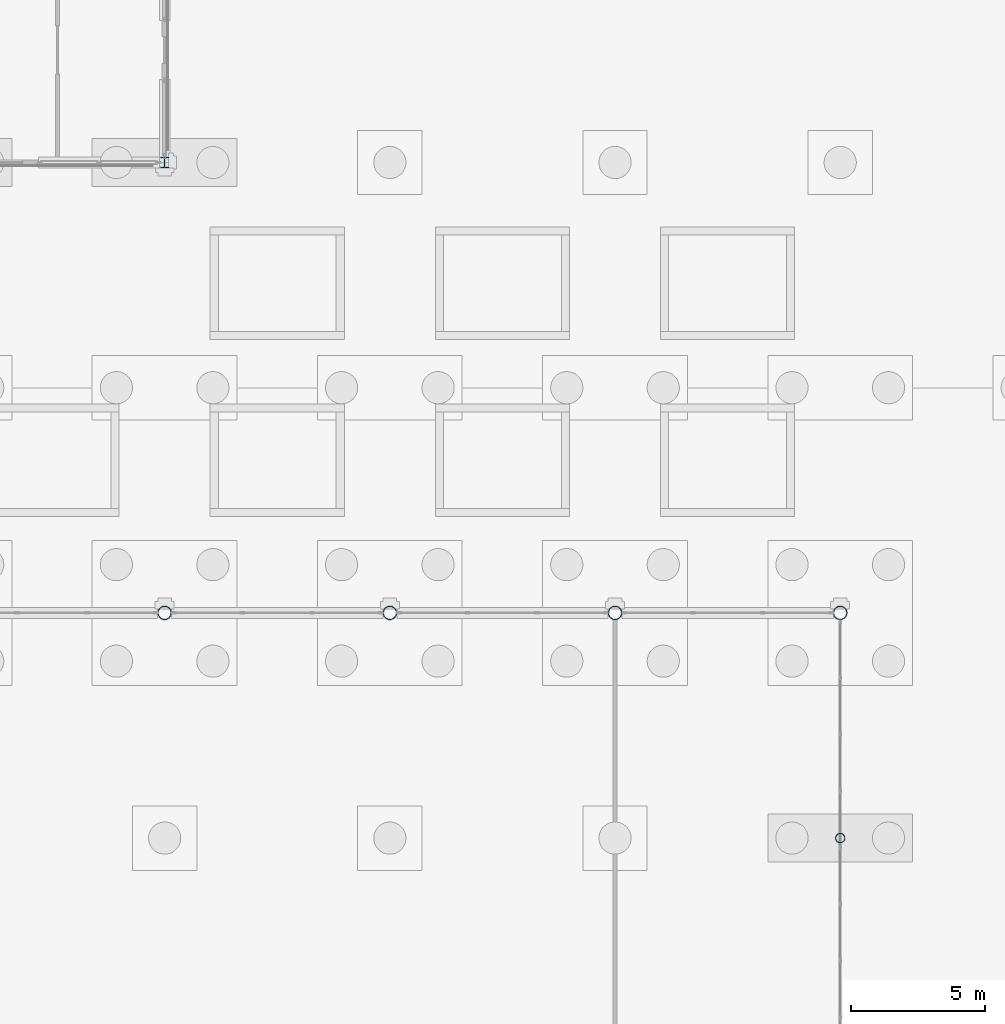
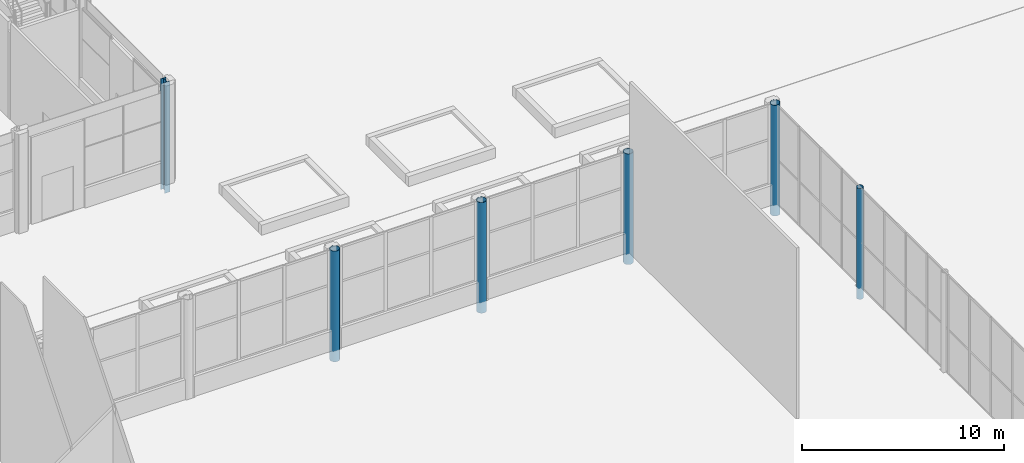
# One storey, part 30 of 212: 6 columns.
"""IFC4 building model written with IfcOpenShell, lengths in metres."""

from ifc_helpers import new_model, si_unit, direction, frame, origin, origin_2d, place, context, subcontext, project, spatial, hollow_circle, i_section, extrude, material, material_profile, profile_set, type_object, element, save


model = new_model("IFC4")

# Units and contexts
model_context = context("Model", 3, precision=1e-05, world=origin(), true_north=direction((0.0, 1.0)))
body_context = subcontext(model_context, "Body", "Model", "MODEL_VIEW")
ifc_project = project(units=[si_unit("LENGTHUNIT", "METRE"), si_unit("AREAUNIT", "SQUARE_METRE"), si_unit("VOLUMEUNIT", "CUBIC_METRE"), si_unit("PLANEANGLEUNIT", "RADIAN"), si_unit("MASSUNIT", "GRAM", prefix="KILO")], contexts=[model_context])

# Site, building, storey
site_placement = place(None, origin())
site = spatial("IfcSite", under=ifc_project, at=site_placement, CompositionType="ELEMENT")
building_placement = place(site_placement, origin())
building = spatial("IfcBuilding", under=site, at=building_placement, Name="Catenary Quay Ferry Terminal", CompositionType="ELEMENT")
storey_placement = place(building_placement, origin())
storey = spatial("IfcBuildingStorey", under=building, at=storey_placement, Name="L00", CompositionType="ELEMENT", Elevation=0.0)

# Columns
ifc_material_1 = material(Name="Steel S355", Category="steel")
ifc_material_profile_1 = material_profile(ifc_material_1, i_section(OverallWidth=0.300048828125, OverallDepth=0.39990234375, WebThickness=0.013427734375, FlangeThickness=0.02392578125, at=origin_2d()), Name="HEB 400")
ifc_profile_set_1 = profile_set([ifc_material_profile_1], Name="Steel S355")
column_type_1 = type_object("IfcColumnType", Name="C2 HEB 400", PredefinedType="COLUMN", material=ifc_profile_set_1)
column_1_placement = place(storey_placement, frame((67.199951171875, 159.60009765625, -0.699951171875), z_axis=(0.0, 0.0, 1.0), x_axis=(1.0, 0.0, 0.0)))
element("IfcColumn", 1, at=column_1_placement, inside=storey, type_object=column_type_1, Name="Column C-I20 L00", PredefinedType="COLUMN", context=body_context, shape_type="SweptSolid", body=[
    extrude(i_section(OverallWidth=0.300048828125, OverallDepth=0.39990234375, WebThickness=0.013427734375, FlangeThickness=0.02392578125, at=origin_2d()), origin(), (0.0, 0.0, 1.0), 6.699951171875),
])
ifc_material_2 = material(Name="Steel S355", Category="steel")
ifc_material_profile_2 = material_profile(ifc_material_2, hollow_circle(Radius=0.25390625, WallThickness=0.01611328125, at=origin_2d()), Name="CHS 508x16")
ifc_profile_set_2 = profile_set([ifc_material_profile_2], Name="Steel S355")
column_type_2 = type_object("IfcColumnType", Name="C4 CHS 508x16", PredefinedType="COLUMN", material=ifc_profile_set_2)
for number, where, z_axis, x_axis, name in (
    (2, (67.199951171875, 142.800048828125, -0.699951171875), (0.0, 0.0, 1.0), (1.0, 0.0, 0.0), "Column C-I18 L00"),
    (3, (75.60009765625, 142.800048828125, -0.699951171875), (0.0, 0.0, 1.0), (1.0, 0.0, 0.0), "Column C-J18 L00"),
    (4, (84.0, 142.800048828125, -0.699951171875), (0.0, 0.0, 1.0), (1.0, 0.0, 0.0), "Column C-K18 L00"),
    (5, (92.39990234375, 142.800048828125, -0.699951171875), (0.0, 0.0, 1.0), (1.0, 0.0, 0.0), "Column C-L18 L00"),
):
    element("IfcColumn", number, at=place(storey_placement, frame(where, z_axis=z_axis, x_axis=x_axis)), inside=storey, type_object=column_type_2, Name=name, PredefinedType="COLUMN", context=body_context, shape_type="SweptSolid", body=[
        extrude(hollow_circle(Radius=0.25390625, WallThickness=0.01611328125, at=origin_2d()), origin(), (0.0, 0.0, 1.0), 6.699951171875),
    ])
ifc_material_3 = material(Name="Steel S355", Category="steel")
ifc_material_profile_3 = material_profile(ifc_material_3, hollow_circle(Radius=0.177734375, WallThickness=0.012451171875, at=origin_2d()), Name="CHS 355.6x12.5")
ifc_profile_set_3 = profile_set([ifc_material_profile_3], Name="Steel S355")
column_type_3 = type_object("IfcColumnType", Name="C5 CHS 355.6x12.5", PredefinedType="COLUMN", material=ifc_profile_set_3)
column_2_placement = place(storey_placement, frame((92.39990234375, 134.39990234375, -0.699951171875), z_axis=(0.0, 0.0, 1.0), x_axis=(1.0, 0.0, 0.0)))
element("IfcColumn", 6, at=column_2_placement, inside=storey, type_object=column_type_3, Name="Column C-L17 L00", PredefinedType="COLUMN", context=body_context, shape_type="SweptSolid", body=[
    extrude(hollow_circle(Radius=0.177734375, WallThickness=0.012451171875, at=origin_2d()), origin(), (0.0, 0.0, 1.0), 6.699951171875),
])

save(model, "model.ifc")
